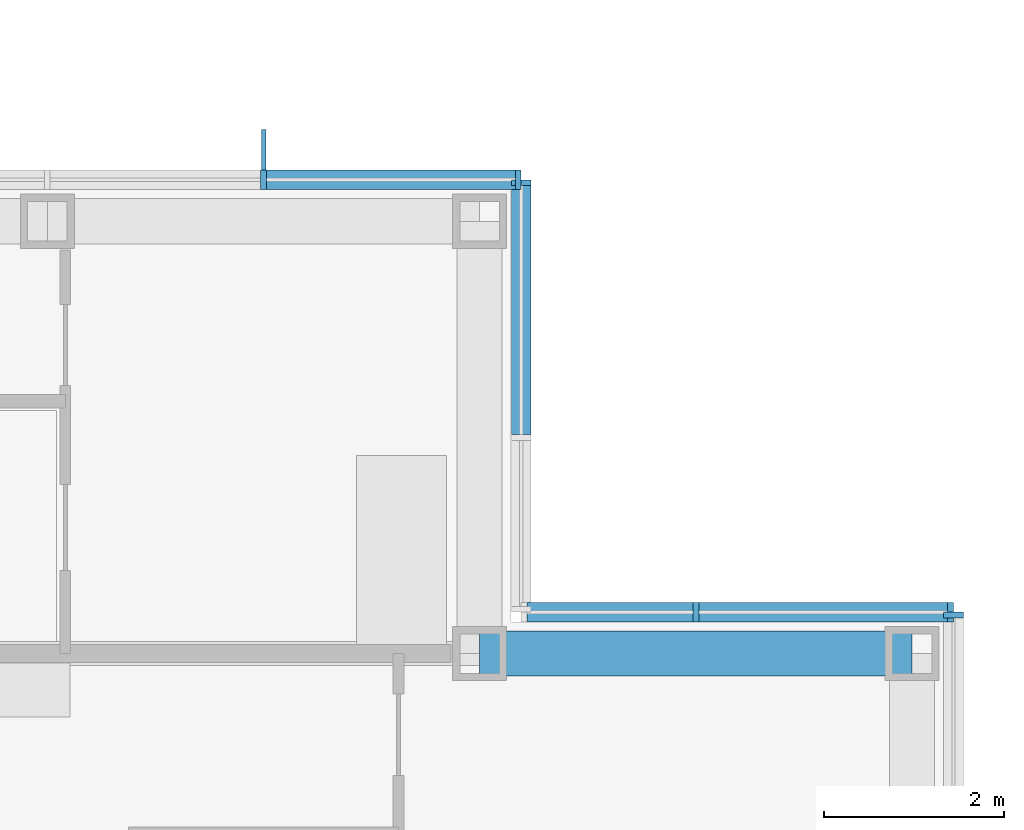
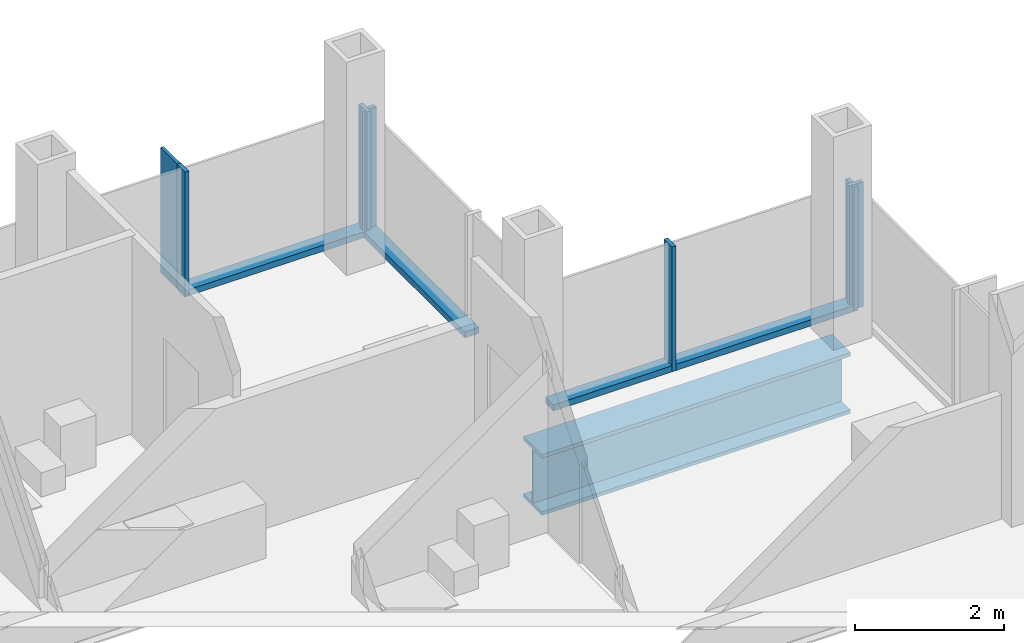
# One storey, part 9 of 20: 11 members, 1 beam, 4 elements without a shape of their own.
"""IFC4 building model written with IfcOpenShell, lengths in metres."""

from ifc_helpers import new_model, si_unit, direction, frame, origin, origin_2d, place, context, subcontext, project, spatial, rectangle, i_section, extrude, material, material_profile, profile_set, type_object, element, aggregate, save


model = new_model("IFC4")

# Units and contexts
model_context = context("Model", 3, precision=1e-05, world=origin(), true_north=direction((0.0, 1.0)))
body_context = subcontext(model_context, "Body", "Model", "MODEL_VIEW")
ifc_project = project(units=[si_unit("LENGTHUNIT", "METRE"), si_unit("AREAUNIT", "SQUARE_METRE"), si_unit("VOLUMEUNIT", "CUBIC_METRE"), si_unit("PLANEANGLEUNIT", "RADIAN"), si_unit("MASSUNIT", "GRAM", prefix="KILO")], contexts=[model_context])

# Site, building, storey
site_placement = place(None, origin())
site = spatial("IfcSite", under=ifc_project, at=site_placement, CompositionType="ELEMENT")
building_placement = place(site_placement, origin())
building = spatial("IfcBuilding", under=site, at=building_placement, Name="Kvirike Care Tower", CompositionType="ELEMENT")
storey_placement = place(building_placement, frame((0.0, 0.0, 133.0)))
storey = spatial("IfcBuildingStorey", under=building, at=storey_placement, Name="L36", CompositionType="ELEMENT", Elevation=133.0)

# Curtain wall, member
ifc_material_1 = material(Name="Anodised aluminium stick system", Category="aluminium")
curtain_wall_type = type_object("IfcCurtainWallType", Name="CW-B STICK CURTAIN WALL", PredefinedType="NOTDEFINED", material=ifc_material_1)
curtain_wall_1_placement = place(storey_placement, origin())
curtain_wall_1 = element("IfcCurtainWall", 1, at=curtain_wall_1_placement, inside=storey, type_object=curtain_wall_type, Name="Curtain wall L36 face 4", PredefinedType="NOTDEFINED")
ifc_material_2 = material(Name="Bronze anodised aluminium fin", Category="aluminium")
ifc_material_profile_1 = material_profile(ifc_material_2, rectangle(XDim=0.050048828125, YDim=0.449951171875, at=origin_2d()), Name="BRONZE FIN 450")
ifc_profile_set_1 = profile_set([ifc_material_profile_1], Name="Bronze anodised aluminium fin")
member_type_1 = type_object("IfcMemberType", Name="BRONZE FIN 450", PredefinedType="USERDEFINED", material=ifc_profile_set_1)
member_1_placement = place(storey_placement, frame((36.0, 43.9951171875, 0.0), z_axis=(0.0, 0.0, 1.0), x_axis=(-1.0, 0.0, 0.0)))
member_1 = element("IfcMember", 2, at=member_1_placement, type_object=member_type_1, Name="Bronze fin L36 face 4.2", ObjectType="FIN", PredefinedType="USERDEFINED", context=body_context, shape_type="SweptSolid", body=[
    extrude(rectangle(XDim=0.050048828125, YDim=0.449951171875, at=origin_2d()), origin(), (0.0, 0.0, 1.0), 2.050048828125),
])

curtain_wall_2_placement = place(storey_placement, origin())
curtain_wall_2 = element("IfcCurtainWall", 3, at=curtain_wall_2_placement, inside=storey, type_object=curtain_wall_type, Name="Curtain wall L36 face 1", PredefinedType="NOTDEFINED")
ifc_material_3 = material(Name="Bronze anodised aluminium mullion", Category="aluminium")
ifc_material_profile_2 = material_profile(ifc_material_3, rectangle(XDim=0.06494140625, YDim=0.219970703125, at=origin_2d()), Name="CW-B MULLION 65x220")
ifc_profile_set_2 = profile_set([ifc_material_profile_2], Name="Bronze anodised aluminium mullion")
member_type_2 = type_object("IfcMemberType", Name="CW-B MULLION 65x220", PredefinedType="MULLION", material=ifc_profile_set_2)
member_2_placement = place(storey_placement, frame((43.659912109375, 38.827392578125, 0.0), z_axis=(0.0, 0.0, 1.0), x_axis=(0.0, 1.0, 0.0)))
member_2 = element("IfcMember", 4, at=member_2_placement, type_object=member_type_2, Name="CW-B mullion L36 face 1.9", PredefinedType="MULLION", context=body_context, shape_type="SweptSolid", body=[
    extrude(rectangle(XDim=0.06494140625, YDim=0.219970703125, at=origin_2d()), origin(), (0.0, 0.0, 1.0), 2.050048828125),
])
aggregate(curtain_wall_2, [member_2])

# Curtain wall, members
curtain_wall_3_placement = place(storey_placement, origin())
curtain_wall_3 = element("IfcCurtainWall", 5, at=curtain_wall_3_placement, inside=storey, type_object=curtain_wall_type, Name="Curtain wall L36 face 2", PredefinedType="NOTDEFINED")
member_3_placement = place(storey_placement, frame((43.62744140625, 38.860107421875, 0.0), z_axis=(0.0, 0.0, 1.0), x_axis=(-1.0, 0.0, 0.0)))
member_3 = element("IfcMember", 6, at=member_3_placement, type_object=member_type_2, Name="CW-B mullion L36 face 2.1", PredefinedType="MULLION", context=body_context, shape_type="SweptSolid", body=[
    extrude(rectangle(XDim=0.06494140625, YDim=0.219970703125, at=origin_2d()), origin(), (0.0, 0.0, 1.0), 2.050048828125),
])
member_4_placement = place(storey_placement, frame((40.800048828125, 38.860107421875, 0.0), z_axis=(0.0, 0.0, 1.0), x_axis=(-1.0, 0.0, 0.0)))
member_4 = element("IfcMember", 7, at=member_4_placement, type_object=member_type_2, Name="CW-B mullion L36 face 2.2", PredefinedType="MULLION", context=body_context, shape_type="SweptSolid", body=[
    extrude(rectangle(XDim=0.06494140625, YDim=0.219970703125, at=origin_2d()), origin(), (0.0, 0.0, 1.0), 2.050048828125),
])

# Curtain wall, member
curtain_wall_4_placement = place(storey_placement, origin())
curtain_wall_4 = element("IfcCurtainWall", 8, at=curtain_wall_4_placement, inside=storey, type_object=curtain_wall_type, Name="Curtain wall L36 face 3", PredefinedType="NOTDEFINED")
member_5_placement = place(storey_placement, frame((38.860107421875, 43.62744140625, 0.0), z_axis=(0.0, 0.0, 1.0), x_axis=(0.0, 1.0, 0.0)))
member_5 = element("IfcMember", 9, at=member_5_placement, type_object=member_type_2, Name="CW-B mullion L36 face 3.3", PredefinedType="MULLION", context=body_context, shape_type="SweptSolid", body=[
    extrude(rectangle(XDim=0.06494140625, YDim=0.219970703125, at=origin_2d()), origin(), (0.0, 0.0, 1.0), 2.050048828125),
])

# Member
member_6_placement = place(storey_placement, frame((38.827392578125, 43.659912109375, 0.0), z_axis=(0.0, 0.0, 1.0), x_axis=(-1.0, 0.0, 0.0)))
member_6 = element("IfcMember", 10, at=member_6_placement, type_object=member_type_2, Name="CW-B mullion L36 face 4.1", PredefinedType="MULLION", context=body_context, shape_type="SweptSolid", body=[
    extrude(rectangle(XDim=0.06494140625, YDim=0.219970703125, at=origin_2d()), origin(), (0.0, 0.0, 1.0), 2.050048828125),
])

member_7_placement = place(storey_placement, frame((36.0, 43.659912109375, 0.0), z_axis=(0.0, 0.0, 1.0), x_axis=(-1.0, 0.0, 0.0)))
member_7 = element("IfcMember", 11, at=member_7_placement, type_object=member_type_2, Name="CW-B mullion L36 face 4.2", PredefinedType="MULLION", context=body_context, shape_type="SweptSolid", body=[
    extrude(rectangle(XDim=0.06494140625, YDim=0.219970703125, at=origin_2d()), origin(), (0.0, 0.0, 1.0), 2.050048828125),
])

ifc_material_4 = material(Name="Bronze anodised aluminium transom", Category="aluminium")
ifc_material_profile_3 = material_profile(ifc_material_4, rectangle(XDim=0.219970703125, YDim=0.10009765625, at=origin_2d()), Name="CW-B TRANSOM 220x100")
ifc_profile_set_3 = profile_set([ifc_material_profile_3], Name="Bronze anodised aluminium transom")
member_type_3 = type_object("IfcMemberType", Name="CW-B TRANSOM 220x100", PredefinedType="USERDEFINED", material=ifc_profile_set_3)
member_8_placement = place(storey_placement, frame((43.594970703125, 38.860107421875, 0.050048828125), z_axis=(-1.0, 0.0, 0.0), x_axis=(0.0, -1.0, 0.0)))
member_8 = element("IfcMember", 12, at=member_8_placement, type_object=member_type_3, Name="CW-B sill transom L36 face 2.1", ObjectType="TRANSOM", PredefinedType="USERDEFINED", context=body_context, shape_type="SweptSolid", body=[
    extrude(rectangle(XDim=0.219970703125, YDim=0.10009765625, at=origin_2d()), origin(), (0.0, 0.0, 1.0), 2.762451171875),
])

member_9_placement = place(storey_placement, frame((40.767578125, 38.860107421875, 0.050048828125), z_axis=(-1.0, 0.0, 0.0), x_axis=(0.0, -1.0, 0.0)))
member_9 = element("IfcMember", 13, at=member_9_placement, type_object=member_type_3, Name="CW-B sill transom L36 face 2.2", ObjectType="TRANSOM", PredefinedType="USERDEFINED", context=body_context, shape_type="SweptSolid", body=[
    extrude(rectangle(XDim=0.219970703125, YDim=0.10009765625, at=origin_2d()), origin(), (0.0, 0.0, 1.0), 1.842529296875),
])

aggregate(curtain_wall_3, [member_3, member_4, member_8, member_9])

member_10_placement = place(storey_placement, frame((38.860107421875, 40.83251953125, 0.050048828125), z_axis=(0.0, 1.0, 0.0), x_axis=(-1.0, 0.0, 0.0)))
member_10 = element("IfcMember", 14, at=member_10_placement, type_object=member_type_3, Name="CW-B sill transom L36 face 3.2", ObjectType="TRANSOM", PredefinedType="USERDEFINED", context=body_context, shape_type="SweptSolid", body=[
    extrude(rectangle(XDim=0.219970703125, YDim=0.10009765625, at=origin_2d()), origin(), (0.0, 0.0, 1.0), 2.762451171875),
])

aggregate(curtain_wall_4, [member_5, member_10])

member_11_placement = place(storey_placement, frame((38.794921875, 43.659912109375, 0.050048828125), z_axis=(-1.0, 0.0, 0.0), x_axis=(0.0, -1.0, 0.0)))
member_11 = element("IfcMember", 15, at=member_11_placement, type_object=member_type_3, Name="CW-B sill transom L36 face 4.1", ObjectType="TRANSOM", PredefinedType="USERDEFINED", context=body_context, shape_type="SweptSolid", body=[
    extrude(rectangle(XDim=0.219970703125, YDim=0.10009765625, at=origin_2d()), origin(), (0.0, 0.0, 1.0), 2.762451171875),
])

aggregate(curtain_wall_1, [member_6, member_7, member_1, member_11])

# Beam
ifc_material_5 = material(Name="Steel S355", Category="steel")
ifc_material_profile_4 = material_profile(ifc_material_5, i_section(OverallWidth=0.5, OverallDepth=1.0, WebThickness=0.030029296875, FlangeThickness=0.06005859375, at=origin_2d()), Name="PG 1000x500x30x60")
ifc_profile_set_4 = profile_set([ifc_material_profile_4], Name="Steel S355")
beam_type = type_object("IfcBeamType", Name="SPANDREL PG 1000x500x30x60", PredefinedType="SPANDREL", material=ifc_profile_set_4)
beam_placement = place(storey_placement, frame((38.39990234375, 38.39990234375, -0.669921875), z_axis=(1.0, 0.0, 0.0), x_axis=(0.0, 1.0, 0.0)))
element("IfcBeam", 16, at=beam_placement, inside=storey, type_object=beam_type, Name="Spandrel J11-J12 L36", PredefinedType="SPANDREL", context=body_context, shape_type="SweptSolid", body=[
    extrude(i_section(OverallWidth=0.5, OverallDepth=1.0, WebThickness=0.030029296875, FlangeThickness=0.06005859375, at=origin_2d()), origin(), (0.0, 0.0, 1.0), 4.800048828125),
])

save(model, "model.ifc")
